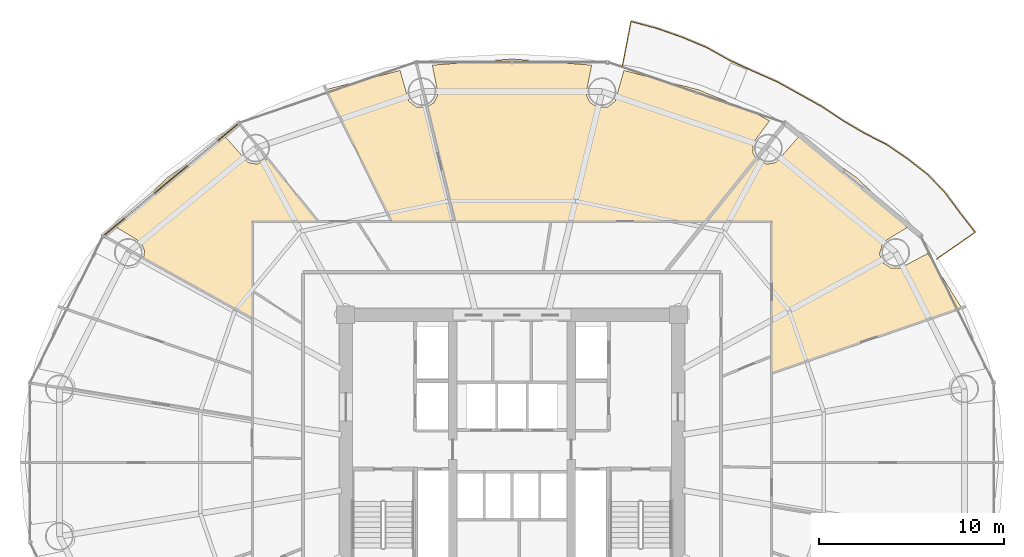
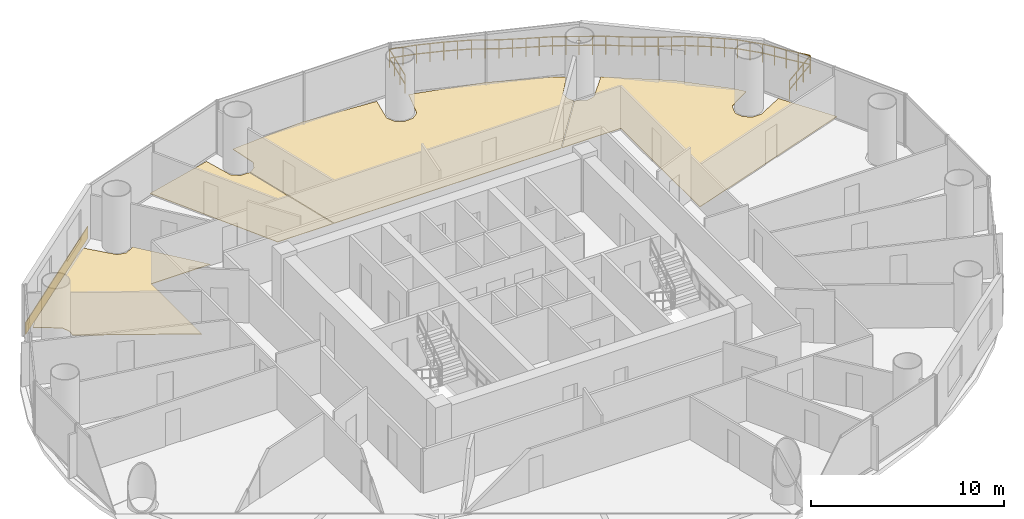
# One storey, part 29 of 29: 5 coverings, 1 railing.
"""IFC4 building model written with IfcOpenShell, lengths in metres."""

from ifc_helpers import new_model, si_unit, direction, frame, origin, origin_2d, place, context, subcontext, project, spatial, polyline, rectangle, outline, extrude, source, transform, mapped, material, layer, layer_set, type_object, element, save


model = new_model("IFC4")

# Units and contexts
model_context = context("Model", 3, precision=1e-05, world=origin(), true_north=direction((-0.2419218956, 0.970295726276)))
body_context = subcontext(model_context, "Body", "Model", "MODEL_VIEW")
ifc_project = project(units=[si_unit("LENGTHUNIT", "METRE"), si_unit("AREAUNIT", "SQUARE_METRE"), si_unit("VOLUMEUNIT", "CUBIC_METRE"), si_unit("PLANEANGLEUNIT", "RADIAN"), si_unit("MASSUNIT", "GRAM", prefix="KILO")], contexts=[model_context])

# Site, building, storey
site_placement = place(None, origin())
site = spatial("IfcSite", under=ifc_project, at=site_placement, CompositionType="ELEMENT")
building_placement = place(site_placement, origin())
building = spatial("IfcBuilding", under=site, at=building_placement, Name="Cobrevalo Terracotta Tower", CompositionType="ELEMENT")
storey_placement = place(building_placement, frame((0.0, 0.0, 119.39990234375)))
storey = spatial("IfcBuildingStorey", under=building, at=storey_placement, Name="L31", CompositionType="ELEMENT", Elevation=119.39990234375)

# Railing
ifc_material_1 = material(Name="Laminated structural glass and stainless steel", Category="steel")
railing_type = type_object("IfcRailingType", Name="Balcony lobe structural glass & terracotta-cap balustrade 1180 mm", PredefinedType="BALUSTRADE", material=ifc_material_1)
railing_placement = place(storey_placement, frame((60.9599609375, 37.802734375, 0.0)))
element("IfcRailing", 1, at=railing_placement, inside=storey, type_object=railing_type, Name="L31 spiralling balcony lobe balustrade 1", PredefinedType="BALUSTRADE", context=body_context, shape_type="SweptSolid", body=[
    extrude(rectangle(XDim=0.048095703125, YDim=0.048095703125, at=origin_2d()), frame((0.0, 0.0, 1.15576171875), z_axis=(0.821643405017, 0.570001855253, 0.0), x_axis=(-0.570001855253, 0.821643405017, 0.0)), (0.0, 0.0, 1.0), 2.5322265625),
    extrude(rectangle(XDim=0.048095703125, YDim=0.048095703125, at=origin_2d()), frame((0.0, 0.0, 0.58984375), z_axis=(0.821643405017, 0.570001855253, 0.0), x_axis=(-0.570001855253, 0.821643405017, 0.0)), (0.0, 0.0, 1.0), 2.5322265625),
    extrude(rectangle(XDim=0.048095703125, YDim=0.048095703125, at=origin_2d()), frame((2.08056640625, 1.443359375, 1.15576171875), z_axis=(-0.613902845366, 0.789381591153, 0.0), x_axis=(-0.789381591153, -0.613902845366, 0.0)), (0.0, 0.0, 1.0), 1.342529296875),
    extrude(rectangle(XDim=0.048095703125, YDim=0.048095703125, at=origin_2d()), frame((2.08056640625, 1.443359375, 0.58984375), z_axis=(-0.613902845366, 0.789381591153, 0.0), x_axis=(-0.789381591153, -0.613902845366, 0.0)), (0.0, 0.0, 1.0), 1.342529296875),
    extrude(rectangle(XDim=0.048095703125, YDim=0.048095703125, at=origin_2d()), frame((1.25634765625, 2.503173828125, 1.15576171875), z_axis=(-0.594845351967, 0.803840162746, 0.0), x_axis=(-0.803840162746, -0.594845351967, 0.0)), (0.0, 0.0, 1.0), 1.344482421875),
    extrude(rectangle(XDim=0.048095703125, YDim=0.048095703125, at=origin_2d()), frame((1.25634765625, 2.503173828125, 0.58984375), z_axis=(-0.594845351967, 0.803840162746, 0.0), x_axis=(-0.803840162746, -0.594845351967, 0.0)), (0.0, 0.0, 1.0), 1.344482421875),
    extrude(rectangle(XDim=0.048095703125, YDim=0.048095703125, at=origin_2d()), frame((0.45654296875, 3.583984375, 1.15576171875), z_axis=(-0.690106141714, 0.72370816851, 0.0), x_axis=(-0.72370816851, -0.690106141714, 0.0)), (0.0, 0.0, 1.0), 1.351318359375),
    extrude(rectangle(XDim=0.048095703125, YDim=0.048095703125, at=origin_2d()), frame((0.45654296875, 3.583984375, 0.58984375), z_axis=(-0.690106141714, 0.72370816851, 0.0), x_axis=(-0.72370816851, -0.690106141714, 0.0)), (0.0, 0.0, 1.0), 1.351318359375),
    extrude(rectangle(XDim=0.048095703125, YDim=0.048095703125, at=origin_2d()), frame((-0.47607421875, 4.56201171875, 1.15576171875), z_axis=(-0.788738669007, 0.614728649091, 0.0), x_axis=(-0.614728649091, -0.788738669007, 0.0)), (0.0, 0.0, 1.0), 1.3720703125),
    extrude(rectangle(XDim=0.048095703125, YDim=0.048095703125, at=origin_2d()), frame((-0.47607421875, 4.56201171875, 0.58984375), z_axis=(-0.788738669007, 0.614728649091, 0.0), x_axis=(-0.614728649091, -0.788738669007, 0.0)), (0.0, 0.0, 1.0), 1.3720703125),
    extrude(rectangle(XDim=0.048095703125, YDim=0.048095703125, at=origin_2d()), frame((-1.558349609375, 5.405517578125, 1.15576171875), z_axis=(-0.824501874772, 0.565859221447, 0.0), x_axis=(-0.565859221447, -0.824501874772, 0.0)), (0.0, 0.0, 1.0), 1.362060546875),
    extrude(rectangle(XDim=0.048095703125, YDim=0.048095703125, at=origin_2d()), frame((-1.558349609375, 5.405517578125, 0.58984375), z_axis=(-0.824501874772, 0.565859221447, 0.0), x_axis=(-0.565859221447, -0.824501874772, 0.0)), (0.0, 0.0, 1.0), 1.362060546875),
    extrude(rectangle(XDim=0.048095703125, YDim=0.048095703125, at=origin_2d()), frame((-2.681396484375, 6.17626953125, 1.15576171875), z_axis=(-0.890428364414, 0.455123420456, 0.0), x_axis=(-0.455123420456, -0.890428364414, 0.0)), (0.0, 0.0, 1.0), 1.39208984375),
    extrude(rectangle(XDim=0.048095703125, YDim=0.048095703125, at=origin_2d()), frame((-2.681396484375, 6.17626953125, 0.58984375), z_axis=(-0.890428364414, 0.455123420456, 0.0), x_axis=(-0.455123420456, -0.890428364414, 0.0)), (0.0, 0.0, 1.0), 1.39208984375),
    extrude(rectangle(XDim=0.048095703125, YDim=0.048095703125, at=origin_2d()), frame((-3.9208984375, 6.809814453125, 1.15576171875), z_axis=(-0.861385990697, 0.507950957308, 0.0), x_axis=(-0.507950957308, -0.861385990697, 0.0)), (0.0, 0.0, 1.0), 1.363525390625),
    extrude(rectangle(XDim=0.048095703125, YDim=0.048095703125, at=origin_2d()), frame((-3.9208984375, 6.809814453125, 0.58984375), z_axis=(-0.861385990697, 0.507950957308, 0.0), x_axis=(-0.507950957308, -0.861385990697, 0.0)), (0.0, 0.0, 1.0), 1.363525390625),
    extrude(rectangle(XDim=0.048095703125, YDim=0.048095703125, at=origin_2d()), frame((-5.095458984375, 7.50244140625, 1.15576171875), z_axis=(-0.832684890841, 0.55374711969, 0.0), x_axis=(-0.55374711969, -0.832684890841, 0.0)), (0.0, 0.0, 1.0), 1.360107421875),
    extrude(rectangle(XDim=0.048095703125, YDim=0.048095703125, at=origin_2d()), frame((-5.095458984375, 7.50244140625, 0.58984375), z_axis=(-0.832684890841, 0.55374711969, 0.0), x_axis=(-0.55374711969, -0.832684890841, 0.0)), (0.0, 0.0, 1.0), 1.360107421875),
    extrude(rectangle(XDim=0.048095703125, YDim=0.048095703125, at=origin_2d()), frame((-6.22802734375, 8.255615234375, 1.15576171875), z_axis=(-0.873956840222, 0.486003540553, 0.0), x_axis=(-0.486003540553, -0.873956840222, 0.0)), (0.0, 0.0, 1.0), 1.37939453125),
    extrude(rectangle(XDim=0.048095703125, YDim=0.048095703125, at=origin_2d()), frame((-6.22802734375, 8.255615234375, 0.58984375), z_axis=(-0.873956840222, 0.486003540553, 0.0), x_axis=(-0.486003540553, -0.873956840222, 0.0)), (0.0, 0.0, 1.0), 1.37939453125),
    extrude(rectangle(XDim=0.048095703125, YDim=0.048095703125, at=origin_2d()), frame((-7.43359375, 8.926025390625, 1.15576171875), z_axis=(-0.87528297615, 0.483611116148, 0.0), x_axis=(-0.483611116148, -0.87528297615, 0.0)), (0.0, 0.0, 1.0), 1.378173828125),
    extrude(rectangle(XDim=0.048095703125, YDim=0.048095703125, at=origin_2d()), frame((-7.43359375, 8.926025390625, 0.58984375), z_axis=(-0.87528297615, 0.483611116148, 0.0), x_axis=(-0.483611116148, -0.87528297615, 0.0)), (0.0, 0.0, 1.0), 1.378173828125),
    extrude(rectangle(XDim=0.048095703125, YDim=0.048095703125, at=origin_2d()), frame((-8.639892578125, 9.592529296875, 1.15576171875), z_axis=(-0.915113559064, 0.403196197919, 0.0), x_axis=(-0.403196197919, -0.915113559064, 0.0)), (0.0, 0.0, 1.0), 1.39453125),
    extrude(rectangle(XDim=0.048095703125, YDim=0.048095703125, at=origin_2d()), frame((-8.639892578125, 9.592529296875, 0.58984375), z_axis=(-0.915113559064, 0.403196197919, 0.0), x_axis=(-0.403196197919, -0.915113559064, 0.0)), (0.0, 0.0, 1.0), 1.39453125),
    extrude(rectangle(XDim=0.048095703125, YDim=0.048095703125, at=origin_2d()), frame((-9.916015625, 10.15478515625, 1.15576171875), z_axis=(-0.907816727581, 0.419367129283, 0.0), x_axis=(-0.419367129283, -0.907816727581, 0.0)), (0.0, 0.0, 1.0), 1.403076171875),
    extrude(rectangle(XDim=0.048095703125, YDim=0.048095703125, at=origin_2d()), frame((-9.916015625, 10.15478515625, 0.58984375), z_axis=(-0.907816727581, 0.419367129283, 0.0), x_axis=(-0.419367129283, -0.907816727581, 0.0)), (0.0, 0.0, 1.0), 1.403076171875),
    extrude(rectangle(XDim=0.048095703125, YDim=0.048095703125, at=origin_2d()), frame((-11.189697265625, 10.7431640625, 1.15576171875), z_axis=(-0.873059011512, 0.487614563377, 0.0), x_axis=(-0.487614563377, -0.873059011512, 0.0)), (0.0, 0.0, 1.0), 1.428955078125),
    extrude(rectangle(XDim=0.048095703125, YDim=0.048095703125, at=origin_2d()), frame((-11.189697265625, 10.7431640625, 0.58984375), z_axis=(-0.873059011512, 0.487614563377, 0.0), x_axis=(-0.487614563377, -0.873059011512, 0.0)), (0.0, 0.0, 1.0), 1.428955078125),
    extrude(rectangle(XDim=0.048095703125, YDim=0.048095703125, at=origin_2d()), frame((-12.437255859375, 11.43994140625, 1.15576171875), z_axis=(-0.922710376599, 0.385493918131, 0.0), x_axis=(-0.385493918131, -0.922710376599, 0.0)), (0.0, 0.0, 1.0), 1.440185546875),
    extrude(rectangle(XDim=0.048095703125, YDim=0.048095703125, at=origin_2d()), frame((-12.437255859375, 11.43994140625, 0.58984375), z_axis=(-0.922710376599, 0.385493918131, 0.0), x_axis=(-0.385493918131, -0.922710376599, 0.0)), (0.0, 0.0, 1.0), 1.440185546875),
    extrude(rectangle(XDim=0.048095703125, YDim=0.048095703125, at=origin_2d()), frame((-13.76611328125, 11.9951171875, 1.15576171875), z_axis=(-0.943398652155, 0.331660946016, 0.0), x_axis=(-0.331660946016, -0.943398652155, 0.0)), (0.0, 0.0, 1.0), 1.443603515625),
    extrude(rectangle(XDim=0.048095703125, YDim=0.048095703125, at=origin_2d()), frame((-13.76611328125, 11.9951171875, 0.58984375), z_axis=(-0.943398652155, 0.331660946016, 0.0), x_axis=(-0.331660946016, -0.943398652155, 0.0)), (0.0, 0.0, 1.0), 1.443603515625),
    extrude(rectangle(XDim=0.048095703125, YDim=0.048095703125, at=origin_2d()), frame((-15.1279296875, 12.473876953125, 1.15576171875), z_axis=(-0.966117550024, 0.258102459376, 0.0), x_axis=(-0.258102459376, -0.966117550024, 0.0)), (0.0, 0.0, 1.0), 1.450927734375),
    extrude(rectangle(XDim=0.048095703125, YDim=0.048095703125, at=origin_2d()), frame((-15.1279296875, 12.473876953125, 0.58984375), z_axis=(-0.966117550024, 0.258102459376, 0.0), x_axis=(-0.258102459376, -0.966117550024, 0.0)), (0.0, 0.0, 1.0), 1.450927734375),
    extrude(rectangle(XDim=0.048095703125, YDim=0.048095703125, at=origin_2d()), frame((-16.52978515625, 12.848388671875, 1.15576171875), z_axis=(-0.188974829372, -0.981981931536, 0.0), x_axis=(0.981981931536, -0.188974829372, 0.0)), (0.0, 0.0, 1.0), 2.487060546875),
    extrude(rectangle(XDim=0.048095703125, YDim=0.048095703125, at=origin_2d()), frame((-16.52978515625, 12.848388671875, 0.58984375), z_axis=(-0.188974829372, -0.981981931536, 0.0), x_axis=(0.981981931536, -0.188974829372, 0.0)), (0.0, 0.0, 1.0), 2.487060546875),
    extrude(rectangle(XDim=0.0419921875, YDim=0.0419921875, at=origin_2d()), origin(), (0.0, 0.0, 1.0), 1.1318359375),
    extrude(rectangle(XDim=0.0419921875, YDim=0.0419921875, at=origin_2d()), frame((0.693603515625, 0.481201171875, 0.0)), (0.0, 0.0, 1.0), 1.1318359375),
    extrude(rectangle(XDim=0.0419921875, YDim=0.0419921875, at=origin_2d()), frame((1.386962890625, 0.962158203125, 0.0)), (0.0, 0.0, 1.0), 1.1318359375),
    extrude(rectangle(XDim=0.0419921875, YDim=0.0419921875, at=origin_2d()), frame((2.08056640625, 1.443359375, 0.0)), (0.0, 0.0, 1.0), 1.1318359375),
    extrude(rectangle(XDim=0.0419921875, YDim=0.0419921875, at=origin_2d()), frame((1.66845703125, 1.97314453125, 0.0)), (0.0, 0.0, 1.0), 1.1318359375),
    extrude(rectangle(XDim=0.0419921875, YDim=0.0419921875, at=origin_2d()), frame((1.25634765625, 2.503173828125, 0.0)), (0.0, 0.0, 1.0), 1.1318359375),
    extrude(rectangle(XDim=0.0419921875, YDim=0.0419921875, at=origin_2d()), frame((0.8564453125, 3.04345703125, 0.0)), (0.0, 0.0, 1.0), 1.1318359375),
    extrude(rectangle(XDim=0.0419921875, YDim=0.0419921875, at=origin_2d()), frame((0.45654296875, 3.583984375, 0.0)), (0.0, 0.0, 1.0), 1.1318359375),
    extrude(rectangle(XDim=0.0419921875, YDim=0.0419921875, at=origin_2d()), frame((-0.009765625, 4.072998046875, 0.0)), (0.0, 0.0, 1.0), 1.1318359375),
    extrude(rectangle(XDim=0.0419921875, YDim=0.0419921875, at=origin_2d()), frame((-0.47607421875, 4.56201171875, 0.0)), (0.0, 0.0, 1.0), 1.1318359375),
    extrude(rectangle(XDim=0.0419921875, YDim=0.0419921875, at=origin_2d()), frame((-1.01708984375, 4.98388671875, 0.0)), (0.0, 0.0, 1.0), 1.1318359375),
    extrude(rectangle(XDim=0.0419921875, YDim=0.0419921875, at=origin_2d()), frame((-1.558349609375, 5.405517578125, 0.0)), (0.0, 0.0, 1.0), 1.1318359375),
    extrude(rectangle(XDim=0.0419921875, YDim=0.0419921875, at=origin_2d()), frame((-2.119873046875, 5.791015625, 0.0)), (0.0, 0.0, 1.0), 1.1318359375),
    extrude(rectangle(XDim=0.0419921875, YDim=0.0419921875, at=origin_2d()), frame((-2.681396484375, 6.17626953125, 0.0)), (0.0, 0.0, 1.0), 1.1318359375),
    extrude(rectangle(XDim=0.0419921875, YDim=0.0419921875, at=origin_2d()), frame((-3.30126953125, 6.4931640625, 0.0)), (0.0, 0.0, 1.0), 1.1318359375),
    extrude(rectangle(XDim=0.0419921875, YDim=0.0419921875, at=origin_2d()), frame((-3.9208984375, 6.809814453125, 0.0)), (0.0, 0.0, 1.0), 1.1318359375),
    extrude(rectangle(XDim=0.0419921875, YDim=0.0419921875, at=origin_2d()), frame((-4.50830078125, 7.15625, 0.0)), (0.0, 0.0, 1.0), 1.1318359375),
    extrude(rectangle(XDim=0.0419921875, YDim=0.0419921875, at=origin_2d()), frame((-5.095458984375, 7.50244140625, 0.0)), (0.0, 0.0, 1.0), 1.1318359375),
    extrude(rectangle(XDim=0.0419921875, YDim=0.0419921875, at=origin_2d()), frame((-5.66162109375, 7.87890625, 0.0)), (0.0, 0.0, 1.0), 1.1318359375),
    extrude(rectangle(XDim=0.0419921875, YDim=0.0419921875, at=origin_2d()), frame((-6.22802734375, 8.255615234375, 0.0)), (0.0, 0.0, 1.0), 1.1318359375),
    extrude(rectangle(XDim=0.0419921875, YDim=0.0419921875, at=origin_2d()), frame((-6.830810546875, 8.5908203125, 0.0)), (0.0, 0.0, 1.0), 1.1318359375),
    extrude(rectangle(XDim=0.0419921875, YDim=0.0419921875, at=origin_2d()), frame((-7.43359375, 8.926025390625, 0.0)), (0.0, 0.0, 1.0), 1.1318359375),
    extrude(rectangle(XDim=0.0419921875, YDim=0.0419921875, at=origin_2d()), frame((-8.03662109375, 9.25927734375, 0.0)), (0.0, 0.0, 1.0), 1.1318359375),
    extrude(rectangle(XDim=0.0419921875, YDim=0.0419921875, at=origin_2d()), frame((-8.639892578125, 9.592529296875, 0.0)), (0.0, 0.0, 1.0), 1.1318359375),
    extrude(rectangle(XDim=0.0419921875, YDim=0.0419921875, at=origin_2d()), frame((-9.27783203125, 9.87353515625, 0.0)), (0.0, 0.0, 1.0), 1.1318359375),
    extrude(rectangle(XDim=0.0419921875, YDim=0.0419921875, at=origin_2d()), frame((-9.916015625, 10.15478515625, 0.0)), (0.0, 0.0, 1.0), 1.1318359375),
    extrude(rectangle(XDim=0.0419921875, YDim=0.0419921875, at=origin_2d()), frame((-10.552734375, 10.448974609375, 0.0)), (0.0, 0.0, 1.0), 1.1318359375),
    extrude(rectangle(XDim=0.0419921875, YDim=0.0419921875, at=origin_2d()), frame((-11.189697265625, 10.7431640625, 0.0)), (0.0, 0.0, 1.0), 1.1318359375),
    extrude(rectangle(XDim=0.0419921875, YDim=0.0419921875, at=origin_2d()), frame((-11.8134765625, 11.091552734375, 0.0)), (0.0, 0.0, 1.0), 1.1318359375),
    extrude(rectangle(XDim=0.0419921875, YDim=0.0419921875, at=origin_2d()), frame((-12.437255859375, 11.43994140625, 0.0)), (0.0, 0.0, 1.0), 1.1318359375),
    extrude(rectangle(XDim=0.0419921875, YDim=0.0419921875, at=origin_2d()), frame((-13.1015625, 11.717529296875, 0.0)), (0.0, 0.0, 1.0), 1.1318359375),
    extrude(rectangle(XDim=0.0419921875, YDim=0.0419921875, at=origin_2d()), frame((-13.76611328125, 11.9951171875, 0.0)), (0.0, 0.0, 1.0), 1.1318359375),
    extrude(rectangle(XDim=0.0419921875, YDim=0.0419921875, at=origin_2d()), frame((-14.447021484375, 12.234375, 0.0)), (0.0, 0.0, 1.0), 1.1318359375),
    extrude(rectangle(XDim=0.0419921875, YDim=0.0419921875, at=origin_2d()), frame((-15.1279296875, 12.473876953125, 0.0)), (0.0, 0.0, 1.0), 1.1318359375),
    extrude(rectangle(XDim=0.0419921875, YDim=0.0419921875, at=origin_2d()), frame((-15.828857421875, 12.6611328125, 0.0)), (0.0, 0.0, 1.0), 1.1318359375),
    extrude(rectangle(XDim=0.0419921875, YDim=0.0419921875, at=origin_2d()), frame((-16.52978515625, 12.848388671875, 0.0)), (0.0, 0.0, 1.0), 1.1318359375),
    extrude(rectangle(XDim=0.0419921875, YDim=0.0419921875, at=origin_2d()), frame((-16.6865234375, 12.034423828125, 0.0)), (0.0, 0.0, 1.0), 1.1318359375),
    extrude(rectangle(XDim=0.0419921875, YDim=0.0419921875, at=origin_2d()), frame((-16.843017578125, 11.22021484375, 0.0)), (0.0, 0.0, 1.0), 1.1318359375),
    extrude(rectangle(XDim=0.0419921875, YDim=0.0419921875, at=origin_2d()), frame((-16.999755859375, 10.40625, 0.0)), (0.0, 0.0, 1.0), 1.1318359375),
])

# Coverings
ifc_material_2 = material(Name="Engineered Brazilian hardwood flooring", Category="wood")
ifc_layer_1 = layer(ifc_material_2, 0.028076171875)
ifc_layer_set_1 = layer_set([ifc_layer_1], Name="Engineered Brazilian hardwood flooring")
covering_type_1 = type_object("IfcCoveringType", Name="Engineered Hardwood Suite Flooring 28", PredefinedType="FLOORING", material=ifc_layer_set_1)
covering_1_placement = place(storey_placement, origin())
element("IfcCovering", 2, at=covering_1_placement, inside=storey, type_object=covering_type_1, Name="Flat L31A Penthouse Living and Dining Room floor finish", PredefinedType="FLOORING", context=body_context, shape_type="SweptSolid", body=[
    extrude(outline(polyline([(38.0, 48.619873046875), (42.3095703125, 48.2890625), (41.997802734375, 46.721435546875), (42.2197265625, 46.26123046875), (42.659912109375, 46.001708984375), (43.170166015625, 46.030517578125), (43.578125, 46.337890625), (44.05078125, 48.001953125), (48.073486328125, 46.95849609375), (51.161376953125, 45.696044921875), (51.92431640625, 45.273193359375), (51.0185546875, 44.05615234375), (51.02001953125, 43.54541015625), (51.193359375, 43.23681640625), (48.4736328125, 39.85498046875), (34.89501953125, 39.85498046875), (33.4169921875, 46.028564453125), (33.7802734375, 46.26123046875), (34.002197265625, 46.721435546875), (33.6904296875, 48.2890625), (38.0, 48.619873046875)])), origin(), (0.0, 0.0, 1.0), 0.030029296875),
])
covering_2_placement = place(storey_placement, origin())
element("IfcCovering", 3, at=covering_2_placement, inside=storey, type_object=covering_type_1, Name="Flat L31A Master Bedroom floor finish", PredefinedType="FLOORING", context=body_context, shape_type="SweptSolid", body=[
    extrude(outline(polyline([(31.94921875, 48.001953125), (32.421875, 46.337890625), (32.829833984375, 46.030517578125), (33.37890625, 46.015380859375), (34.853759765625, 39.85498046875), (31.513671875, 39.85498046875), (27.966552734375, 46.9697265625), (31.94921875, 48.001953125)])), origin(), (0.0, 0.0, 1.0), 0.030029296875),
])
covering_3_placement = place(storey_placement, origin())
element("IfcCovering", 4, at=covering_3_placement, inside=storey, type_object=covering_type_1, Name="Flat L31A Principal Guest Bedroom floor finish", PredefinedType="FLOORING", context=body_context, shape_type="SweptSolid", body=[
    extrude(outline(polyline([(19.3876953125, 42.227783203125), (22.511474609375, 44.40673828125), (23.72119140625, 43.02880859375), (24.221923828125, 42.927490234375), (24.780029296875, 43.2060546875), (27.47509765625, 39.85498046875), (23.945068359375, 39.85498046875), (23.945068359375, 34.62548828125), (18.083740234375, 37.879150390625), (18.131591796875, 38.23876953125), (17.94091796875, 38.712890625), (16.64697265625, 39.49755859375), (17.117919921875, 40.081787109375), (19.3876953125, 42.227783203125)])), origin(), (0.0, 0.0, 1.0), 0.030029296875),
])
covering_4_placement = place(storey_placement, origin())
element("IfcCovering", 5, at=covering_4_placement, inside=storey, type_object=covering_type_1, Name="Flat L31B Private Cinema Room floor finish", PredefinedType="FLOORING", context=body_context, shape_type="SweptSolid", body=[
    extrude(outline(polyline([(48.52490234375, 39.85498046875), (51.219970703125, 43.2060546875), (51.778076171875, 42.927490234375), (52.27880859375, 43.02880859375), (53.488525390625, 44.40673828125), (56.6123046875, 42.227783203125), (58.882080078125, 40.081787109375), (59.35302734375, 39.49755859375), (58.05908203125, 38.712890625), (57.8701171875, 38.066162109375), (58.070556640625, 37.59619140625), (58.498291015625, 37.316650390625), (59.00927734375, 37.32177734375), (60.474853515625, 38.10546875), (62.296875, 35.1826171875), (52.054931640625, 31.657958984375), (52.054931640625, 39.85498046875), (48.52490234375, 39.85498046875)])), origin(), (0.0, 0.0, 1.0), 0.030029296875),
])
ifc_material_3 = material(Name="Glazed terracotta facade cladding tile", Category="masonry")
ifc_layer_2 = layer(ifc_material_3, 0.044921875)
ifc_layer_set_2 = layer_set([ifc_layer_2], Name="Glazed terracotta facade cladding tile")
covering_type_2 = type_object("IfcCoveringType", Name="Architectural terracotta rainscreen spandrel cladding 45 mm", PredefinedType="CLADDING", material=ifc_layer_set_2)
shared_shape = source(origin(), body_context, "Body", "SweptSolid", [
    extrude(rectangle(XDim=9.32958984375, YDim=0.044921875, at=origin_2d()), origin(), (0.0, 0.0, 1.0), 0.760009765625),
])
covering_5_placement = place(storey_placement, frame((19.5732421875, 42.10595703125, 0.0400390625), z_axis=(0.0, 0.0, 1.0), x_axis=(-0.769241221277, -0.638958483384, 0.0)))
element("IfcCovering", 6, at=covering_5_placement, inside=storey, type_object=covering_type_2, Name="L31 terracotta spandrel cladding S06", PredefinedType="CLADDING", context=body_context, shape_type="MappedRepresentation", body=[
    mapped(shared_shape, transform((0.0, 0.0, 0.0), scale=1.0)),
])

save(model, "model.ifc")
